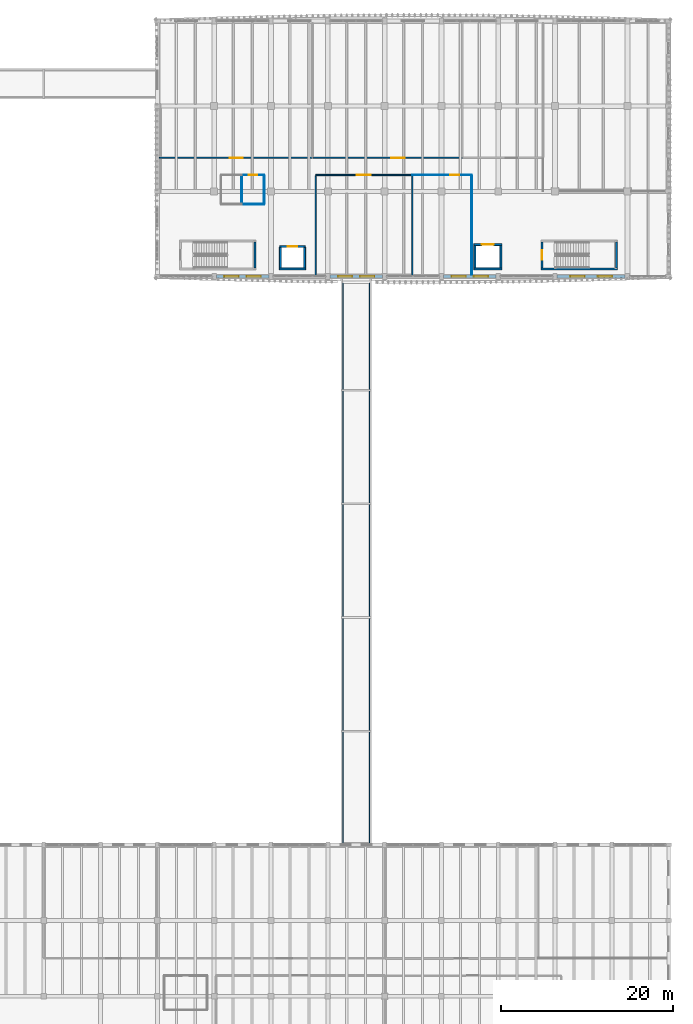
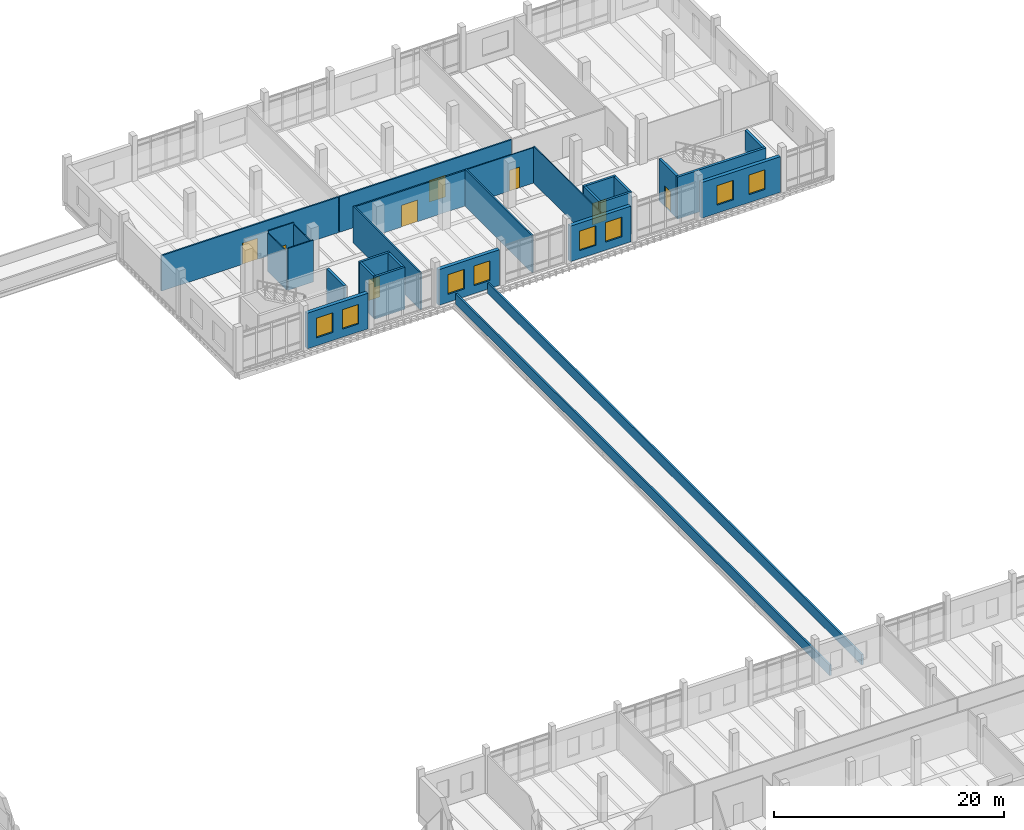
# One storey, part 77 of 101: 29 walls, 8 doors, 8 windows, 16 openings.
"""IFC4 building model written with IfcOpenShell, lengths in metres."""

from ifc_helpers import new_model, si_unit, direction, frame, frame_2d, origin, place, context, subcontext, project, spatial, rectangle, extrude, material, layer, layer_set, type_object, element, fill, save


model = new_model("IFC4")

# Units and contexts
model_context = context("Model", 3, precision=1e-05, world=origin(), true_north=direction((0.0, 1.0)))
body_context = subcontext(model_context, "Body", "Model", "MODEL_VIEW")
ifc_project = project(units=[si_unit("LENGTHUNIT", "METRE"), si_unit("AREAUNIT", "SQUARE_METRE"), si_unit("VOLUMEUNIT", "CUBIC_METRE"), si_unit("PLANEANGLEUNIT", "RADIAN"), si_unit("MASSUNIT", "GRAM", prefix="KILO")], contexts=[model_context])

# Site, building, storey
site_placement = place(None, origin())
site = spatial("IfcSite", under=ifc_project, at=site_placement, CompositionType="ELEMENT")
building_placement = place(site_placement, origin())
building = spatial("IfcBuilding", under=site, at=building_placement, Name="Dornvale Research Institute", CompositionType="ELEMENT")
storey_placement = place(building_placement, frame((0.0, 0.0, 10.199951171875)))
storey = spatial("IfcBuildingStorey", under=building, at=storey_placement, Name="L02", CompositionType="ELEMENT", Elevation=10.199951171875)

# Walls
ifc_material_1 = material(Name="Concrete f'c 40 MPa (C32/40)", Category="concrete")
ifc_layer_1 = layer(ifc_material_1, 0.179931640625)
ifc_layer_set_1 = layer_set([ifc_layer_1], Name="Concrete f'c 40 MPa (C32/40)")
wall_type_1 = type_object("IfcWallType", Name="Parapet_Terrace_180", PredefinedType="PARAPET", material=ifc_layer_set_1)
for number, where, z_axis, x_axis, name in (
    (1, (140.2900390625, 26.6201171875, 0.0), (0.0, 0.0, 1.0), (0.0, 1.0, 0.0), "L02 BRROOF-BR-7 parapet W"),
    (2, (143.510009765625, 26.6201171875, 0.0), (0.0, 0.0, 1.0), (0.0, 1.0, 0.0), "L02 BRROOF-BR-7 parapet E"),
):
    element("IfcWall", number, at=place(storey_placement, frame(where, z_axis=z_axis, x_axis=x_axis)), inside=storey, type_object=wall_type_1, Name=name, PredefinedType="PARAPET", context=body_context, shape_type="SweptSolid", body=[
        extrude(rectangle(XDim=65.019775390625, YDim=0.179931640625, at=frame_2d((32.509765625, 0.0))), origin(), (0.0, 0.0, 1.0), 1.1201171875),
    ])

# Wall, opening, door
ifc_material_2 = material(Name="Acoustic Insulated Double-Stud Laboratory Partition")
ifc_layer_2 = layer(ifc_material_2, 0.14990234375)
ifc_layer_set_2 = layer_set([ifc_layer_2], Name="Acoustic Insulated Double-Stud Laboratory Partition")
wall_type_2 = type_object("IfcWallType", Name="Partition_Lab_150", PredefinedType="PARTITIONING", material=ifc_layer_set_2)
wall_1_placement = place(storey_placement, frame((119.0400390625, 106.199951171875, 0.0), z_axis=(0.0, 0.0, 1.0), x_axis=(1.0, 0.0, 0.0)))
wall_1 = element("IfcWall", 3, at=wall_1_placement, inside=storey, type_object=wall_type_2, Name="L02 V4 interior partition #273", PredefinedType="PARTITIONING", context=body_context, shape_type="SweptSolid", body=[
    extrude(rectangle(XDim=17.780029296875, YDim=0.14990234375, at=frame_2d((8.89013671875, 0.0))), origin(), (0.0, 0.0, 1.0), 3.780029296875),
])
opening_1_placement = place(wall_1_placement, frame((8.159912109375, 0.0, 0.0)))
opening_1 = element("IfcOpeningElement", 4, at=opening_1_placement, cuts=wall_1, Name="Opening ID-06", PredefinedType="OPENING", context=body_context, shape_type="SweptSolid", body=[
    extrude(rectangle(XDim=1.5, YDim=2.25, at=frame_2d((0.75, 1.125))), frame((0.0, 0.08984375, 0.0), z_axis=(0.0, -1.0, 0.0), x_axis=(1.0, 0.0, 0.0)), (0.0, 0.0, 1.0), 0.179931640625),
])
ifc_material_3 = material(Name="Insulated Fire-Rated Hollow Metal Door Assembly")
door_type_1 = type_object("IfcDoorType", Name="Door_WetLab_1500x2250", OperationType="SINGLE_SWING_LEFT", PredefinedType="DOOR", material=ifc_material_3)
door_1_placement = place(opening_1_placement, origin())
door_1 = element("IfcDoor", 5, at=door_1_placement, inside=storey, type_object=door_type_1, Name="L02 Cellular Biology Wet Laboratory door #111", OperationType="SINGLE_SWING_RIGHT", OverallHeight=2.25, OverallWidth=1.5, PredefinedType="DOOR", context=body_context, shape_type="SweptSolid", body=[
    extrude(rectangle(XDim=1.5, YDim=2.25, at=frame_2d((0.75, 1.125))), frame((0.0, 0.02490234375, 0.0), z_axis=(0.0, -1.0, 0.0), x_axis=(1.0, 0.0, 0.0)), (0.0, 0.0, 1.0), 0.050048828125),
])
fill(opening_1, door_1)

wall_2_placement = place(storey_placement, frame((136.909912109375, 106.199951171875, 0.0), z_axis=(0.0, 0.0, 1.0), x_axis=(1.0, 0.0, 0.0)))
wall_2 = element("IfcWall", 6, at=wall_2_placement, inside=storey, type_object=wall_type_2, Name="L02 V4 interior partition #275", PredefinedType="PARTITIONING", context=body_context, shape_type="SweptSolid", body=[
    extrude(rectangle(XDim=17.2900390625, YDim=0.14990234375, at=frame_2d((8.64501953125, 0.0))), origin(), (0.0, 0.0, 1.0), 3.780029296875),
])
opening_2_placement = place(wall_2_placement, frame((9.030029296875, 0.0, 0.0)))
opening_2 = element("IfcOpeningElement", 7, at=opening_2_placement, cuts=wall_2, Name="Opening ID-04", PredefinedType="OPENING", context=body_context, shape_type="SweptSolid", body=[
    extrude(rectangle(XDim=1.6201171875, YDim=2.300048828125, at=frame_2d((0.81005859375, 1.14990234375))), frame((0.0, 0.08984375, 0.0), z_axis=(0.0, -1.0, 0.0), x_axis=(1.0, 0.0, 0.0)), (0.0, 0.0, 1.0), 0.179931640625),
])
ifc_material_4 = material(Name="Insulated Fire-Rated Hollow Metal Door Assembly")
door_type_2 = type_object("IfcDoorType", Name="Door_WetLab_1620x2300", OperationType="SINGLE_SWING_LEFT", PredefinedType="DOOR", material=ifc_material_4)
door_2_placement = place(opening_2_placement, origin())
door_2 = element("IfcDoor", 8, at=door_2_placement, inside=storey, type_object=door_type_2, Name="L02 Confocal Microscopy and Imaging Core door #112", OperationType="SINGLE_SWING_LEFT", OverallHeight=2.300048828125, OverallWidth=1.6201171875, PredefinedType="DOOR", context=body_context, shape_type="SweptSolid", body=[
    extrude(rectangle(XDim=1.6201171875, YDim=2.300048828125, at=frame_2d((0.81005859375, 1.14990234375))), frame((0.0, 0.02490234375, 0.0), z_axis=(0.0, -1.0, 0.0), x_axis=(1.0, 0.0, 0.0)), (0.0, 0.0, 1.0), 0.050048828125),
])
fill(opening_2, door_2)

wall_3_placement = place(storey_placement, frame((137.199951171875, 104.199951171875, 0.0), z_axis=(0.0, 0.0, 1.0), x_axis=(1.0, 0.0, 0.0)))
wall_3 = element("IfcWall", 9, at=wall_3_placement, inside=storey, type_object=wall_type_2, Name="L02 V4 interior partition #282", PredefinedType="PARTITIONING", context=body_context, shape_type="SweptSolid", body=[
    extrude(rectangle(XDim=11.199951171875, YDim=0.14990234375, at=frame_2d((5.60009765625, 0.0))), origin(), (0.0, 0.0, 1.0), 3.780029296875),
])
opening_3_placement = place(wall_3_placement, frame((4.7900390625, 0.0, 0.0)))
opening_3 = element("IfcOpeningElement", 10, at=opening_3_placement, cuts=wall_3, Name="Opening ID-04", PredefinedType="OPENING", context=body_context, shape_type="SweptSolid", body=[
    extrude(rectangle(XDim=1.6201171875, YDim=2.300048828125, at=frame_2d((0.81005859375, 1.14990234375))), frame((0.0, 0.08984375, 0.0), z_axis=(0.0, -1.0, 0.0), x_axis=(1.0, 0.0, 0.0)), (0.0, 0.0, 1.0), 0.179931640625),
])
door_3_placement = place(opening_3_placement, origin())
door_3 = element("IfcDoor", 11, at=door_3_placement, inside=storey, type_object=door_type_2, Name="L02 Laboratory Instrument Support Room L02 door #115", OperationType="SINGLE_SWING_RIGHT", OverallHeight=2.300048828125, OverallWidth=1.6201171875, PredefinedType="DOOR", context=body_context, shape_type="SweptSolid", body=[
    extrude(rectangle(XDim=1.6201171875, YDim=2.300048828125, at=frame_2d((0.81005859375, 1.14990234375))), frame((0.0, 0.02490234375, 0.0), z_axis=(0.0, -1.0, 0.0), x_axis=(1.0, 0.0, 0.0)), (0.0, 0.0, 1.0), 0.050048828125),
])
fill(opening_3, door_3)

# Walls
for number, where, z_axis, x_axis, name in (
    (12, (137.199951171875, 92.43994140625, 0.0), (0.0, 0.0, 1.0), (0.0, 1.0, 0.0), "L02 V4 interior partition #283"),
    (13, (148.39990234375, 92.43994140625, 0.0), (0.0, 0.0, 1.0), (0.0, 1.0, 0.0), "L02 V4 interior partition #284"),
):
    element("IfcWall", number, at=place(storey_placement, frame(where, z_axis=z_axis, x_axis=x_axis)), inside=storey, type_object=wall_type_2, Name=name, PredefinedType="PARTITIONING", context=body_context, shape_type="SweptSolid", body=[
        extrude(rectangle(XDim=11.670166015625, YDim=0.14990234375, at=frame_2d((5.8349609375, 0.0))), origin(), (0.0, 0.0, 1.0), 3.929931640625),
    ])
ifc_material_5 = material(Name="Acoustic Insulated Double-Stud Laboratory Partition")
ifc_layer_3 = layer(ifc_material_5, 0.10009765625)
ifc_layer_set_3 = layer_set([ifc_layer_3], Name="Acoustic Insulated Double-Stud Laboratory Partition")
wall_type_3 = type_object("IfcWallType", Name="Partition_Office_100", PredefinedType="PARTITIONING", material=ifc_layer_set_3)
wall_4_placement = place(storey_placement, frame((128.60009765625, 100.864990234375, 0.0), z_axis=(0.0, 0.0, 1.0), x_axis=(0.0, 1.0, 0.0)))
element("IfcWall", 14, at=wall_4_placement, inside=storey, type_object=wall_type_3, Name="L02 V4 interior partition #269", PredefinedType="PARTITIONING", context=body_context, shape_type="SweptSolid", body=[
    extrude(rectangle(XDim=3.27001953125, YDim=0.10009765625, at=frame_2d((1.635009765625, 0.0))), origin(), (0.0, 0.0, 1.0), 4.06494140625),
])
wall_5_placement = place(storey_placement, frame((128.6650390625, 100.800048828125, 0.0), z_axis=(0.0, 0.0, 1.0), x_axis=(1.0, 0.0, 0.0)))
element("IfcWall", 15, at=wall_5_placement, inside=storey, type_object=wall_type_3, Name="L02 V4 interior partition #270", PredefinedType="PARTITIONING", context=body_context, shape_type="SweptSolid", body=[
    extrude(rectangle(XDim=2.534912109375, YDim=0.10009765625, at=frame_2d((1.267578125, 0.0))), origin(), (0.0, 0.0, 1.0), 4.43994140625),
])

# Wall, opening, door
wall_6_placement = place(storey_placement, frame((128.6650390625, 104.199951171875, 0.0), z_axis=(0.0, 0.0, 1.0), x_axis=(1.0, 0.0, 0.0)))
wall_6 = element("IfcWall", 16, at=wall_6_placement, inside=storey, type_object=wall_type_3, Name="L02 V4 interior partition #271", PredefinedType="PARTITIONING", context=body_context, shape_type="SweptSolid", body=[
    extrude(rectangle(XDim=2.534912109375, YDim=0.10009765625, at=frame_2d((1.267578125, 0.0))), origin(), (0.0, 0.0, 1.0), 4.2451171875),
])
opening_4_placement = place(wall_6_placement, frame((0.735107421875, 0.0, 0.0)))
opening_4 = element("IfcOpeningElement", 17, at=opening_4_placement, cuts=wall_6, Name="Opening ID-24", PredefinedType="OPENING", context=body_context, shape_type="SweptSolid", body=[
    extrude(rectangle(XDim=1.0, YDim=2.14990234375, at=frame_2d((0.5, 1.074951171875))), frame((0.0, 0.06494140625, 0.0), z_axis=(0.0, -1.0, 0.0), x_axis=(1.0, 0.0, 0.0)), (0.0, 0.0, 1.0), 0.130126953125),
])
ifc_material_6 = material(Name="Phenolic-Faced Solid-Core Laboratory Door Assembly")
door_type_3 = type_object("IfcDoorType", Name="Door_AccWC_1000x2150", OperationType="SINGLE_SWING_LEFT", PredefinedType="DOOR", material=ifc_material_6)
door_4_placement = place(opening_4_placement, origin())
door_4 = element("IfcDoor", 18, at=door_4_placement, inside=storey, type_object=door_type_3, Name="L02 Wet Wing Female and Accessible Restroom L02 door #110", OperationType="SINGLE_SWING_LEFT", OverallHeight=2.14990234375, OverallWidth=1.0, PredefinedType="DOOR", context=body_context, shape_type="SweptSolid", body=[
    extrude(rectangle(XDim=1.0, YDim=2.14990234375, at=frame_2d((0.5, 1.074951171875))), frame((0.0, 0.02490234375, 0.0), z_axis=(0.0, -1.0, 0.0), x_axis=(1.0, 0.0, 0.0)), (0.0, 0.0, 1.0), 0.050048828125),
])
fill(opening_4, door_4)

# Wall
wall_7_placement = place(storey_placement, frame((131.199951171875, 100.864990234375, 0.0), z_axis=(0.0, 0.0, 1.0), x_axis=(0.0, 1.0, 0.0)))
element("IfcWall", 19, at=wall_7_placement, inside=storey, type_object=wall_type_3, Name="L02 V4 interior partition #272", PredefinedType="PARTITIONING", context=body_context, shape_type="SweptSolid", body=[
    extrude(rectangle(XDim=3.27001953125, YDim=0.10009765625, at=frame_2d((1.635009765625, 0.0))), origin(), (0.0, 0.0, 1.0), 4.06494140625),
])

# Wall, opening, door
wall_8_placement = place(storey_placement, frame((148.4150390625, 104.199951171875, 0.0), z_axis=(0.0, 0.0, 1.0), x_axis=(1.0, 0.0, 0.0)))
wall_8 = element("IfcWall", 20, at=wall_8_placement, inside=storey, type_object=wall_type_3, Name="L02 V4 interior partition #285", PredefinedType="PARTITIONING", context=body_context, shape_type="SweptSolid", body=[
    extrude(rectangle(XDim=6.885009765625, YDim=0.10009765625, at=frame_2d((3.4423828125, 0.0))), origin(), (0.0, 0.0, 1.0), 3.780029296875),
])
opening_5_placement = place(wall_8_placement, frame((4.425048828125, 0.0, 0.0)))
opening_5 = element("IfcOpeningElement", 21, at=opening_5_placement, cuts=wall_8, Name="Opening ID-20", PredefinedType="OPENING", context=body_context, shape_type="SweptSolid", body=[
    extrude(rectangle(XDim=1.02001953125, YDim=2.199951171875, at=frame_2d((0.510009765625, 1.10009765625))), frame((0.0, 0.06494140625, 0.0), z_axis=(0.0, -1.0, 0.0), x_axis=(1.0, 0.0, 0.0)), (0.0, 0.0, 1.0), 0.130126953125),
])
ifc_material_7 = material(Name="Phenolic-Faced Solid-Core Laboratory Door Assembly")
door_type_4 = type_object("IfcDoorType", Name="Door_WriteUp_1020x2200", OperationType="SINGLE_SWING_LEFT", PredefinedType="DOOR", material=ifc_material_7)
door_5_placement = place(opening_5_placement, origin())
door_5 = element("IfcDoor", 22, at=door_5_placement, inside=storey, type_object=door_type_4, Name="L02 Wet Laboratory Write-Up Bays L02 door #116", OperationType="SINGLE_SWING_LEFT", OverallHeight=2.199951171875, OverallWidth=1.02001953125, PredefinedType="DOOR", context=body_context, shape_type="SweptSolid", body=[
    extrude(rectangle(XDim=1.02001953125, YDim=2.199951171875, at=frame_2d((0.510009765625, 1.10009765625))), frame((0.0, 0.02490234375, 0.0), z_axis=(0.0, -1.0, 0.0), x_axis=(1.0, 0.0, 0.0)), (0.0, 0.0, 1.0), 0.050048828125),
])
fill(opening_5, door_5)

# Walls
wall_9_placement = place(storey_placement, frame((155.300048828125, 92.594970703125, 0.0), z_axis=(0.0, 0.0, 1.0), x_axis=(0.0, 1.0, 0.0)))
element("IfcWall", 23, at=wall_9_placement, inside=storey, type_object=wall_type_3, Name="L02 V4 interior partition #286", PredefinedType="PARTITIONING", context=body_context, shape_type="SweptSolid", body=[
    extrude(rectangle(XDim=11.5400390625, YDim=0.10009765625, at=frame_2d((5.77001953125, 0.0))), origin(), (0.0, 0.0, 1.0), 3.929931640625),
])
ifc_material_8 = material(Name="Concrete f'c 45 MPa (C35/45)", Category="concrete")
ifc_layer_4 = layer(ifc_material_8, 0.25)
ifc_layer_set_4 = layer_set([ifc_layer_4], Name="Concrete f'c 45 MPa (C35/45)")
wall_type_4 = type_object("IfcWallType", Name="ShearWall_Core_250", PredefinedType="SHEAR", material=ifc_layer_set_4)
wall_10_placement = place(storey_placement, frame((130.125, 93.39990234375, 0.0), z_axis=(0.0, 0.0, 1.0), x_axis=(0.0, 1.0, 0.0)))
element("IfcWall", 24, at=wall_10_placement, inside=storey, type_object=wall_type_4, Name="L02 ST-3 shaft shear wall east", PredefinedType="SHEAR", context=body_context, shape_type="SweptSolid", body=[
    extrude(rectangle(XDim=3.0, YDim=0.25, at=frame_2d((1.5, 0.0))), origin(), (0.0, 0.0, 1.0), 4.4599609375),
])
wall_11_placement = place(storey_placement, frame((163.35009765625, 93.27490234375, 0.0), z_axis=(0.0, 0.0, 1.0), x_axis=(1.0, 0.0, 0.0)))
element("IfcWall", 25, at=wall_11_placement, inside=storey, type_object=wall_type_4, Name="L02 ST-4 shaft shear wall south", PredefinedType="SHEAR", context=body_context, shape_type="SweptSolid", body=[
    extrude(rectangle(XDim=8.89990234375, YDim=0.25, at=frame_2d((4.449951171875, 0.0))), origin(), (0.0, 0.0, 1.0), 4.4599609375),
])

# Wall, opening, door
wall_12_placement = place(storey_placement, frame((163.47509765625, 93.39990234375, 0.0), z_axis=(0.0, 0.0, 1.0), x_axis=(0.0, 1.0, 0.0)))
wall_12 = element("IfcWall", 26, at=wall_12_placement, inside=storey, type_object=wall_type_4, Name="L02 ST-4 shaft shear wall west", PredefinedType="SHEAR", context=body_context, shape_type="SweptSolid", body=[
    extrude(rectangle(XDim=3.0, YDim=0.25, at=frame_2d((1.5, 0.0))), origin(), (0.0, 0.0, 1.0), 4.4599609375),
])
opening_6_placement = place(wall_12_placement, frame((0.9599609375, 0.0, 0.0)))
opening_6 = element("IfcOpeningElement", 27, at=opening_6_placement, cuts=wall_12, Name="Opening SD-02", PredefinedType="OPENING", context=body_context, shape_type="SweptSolid", body=[
    extrude(rectangle(XDim=1.080078125, YDim=2.199951171875, at=frame_2d((0.5400390625, 1.10009765625))), frame((0.0, 0.139892578125, 0.0), z_axis=(0.0, -1.0, 0.0), x_axis=(1.0, 0.0, 0.0)), (0.0, 0.0, 1.0), 0.280029296875),
])
ifc_material_9 = material(Name="Insulated Fire-Rated Hollow Metal Door Assembly")
door_type_5 = type_object("IfcDoorType", Name="Door_Stair_1080x2200", OperationType="SINGLE_SWING_LEFT", PredefinedType="DOOR", material=ifc_material_9)
door_6_placement = place(opening_6_placement, origin())
door_6 = element("IfcDoor", 28, at=door_6_placement, inside=storey, type_object=door_type_5, Name="L02 ST-4 exit stair door #36", OperationType="SINGLE_SWING_LEFT", OverallHeight=2.199951171875, OverallWidth=1.080078125, PredefinedType="DOOR", context=body_context, shape_type="SweptSolid", body=[
    extrude(rectangle(XDim=1.080078125, YDim=2.199951171875, at=frame_2d((0.5400390625, 1.10009765625))), frame((0.0, 0.02490234375, 0.0), z_axis=(0.0, -1.0, 0.0), x_axis=(1.0, 0.0, 0.0)), (0.0, 0.0, 1.0), 0.050048828125),
])
fill(opening_6, door_6)

# Walls
wall_13_placement = place(storey_placement, frame((172.125, 93.39990234375, 0.0), z_axis=(0.0, 0.0, 1.0), x_axis=(0.0, 1.0, 0.0)))
element("IfcWall", 29, at=wall_13_placement, inside=storey, type_object=wall_type_4, Name="L02 ST-4 shaft shear wall east", PredefinedType="SHEAR", context=body_context, shape_type="SweptSolid", body=[
    extrude(rectangle(XDim=3.0, YDim=0.25, at=frame_2d((1.5, 0.0))), origin(), (0.0, 0.0, 1.0), 4.4599609375),
])
ifc_material_10 = material(Name="Concrete f'c 45 MPa (C35/45)", Category="concrete")
ifc_layer_5 = layer(ifc_material_10, 0.219970703125)
ifc_layer_set_5 = layer_set([ifc_layer_5], Name="Concrete f'c 45 MPa (C35/45)")
wall_type_5 = type_object("IfcWallType", Name="ShearWall_Shaft_220", PredefinedType="SHEAR", material=ifc_layer_set_5)
wall_14_placement = place(storey_placement, frame((132.97998046875, 93.2900390625, 0.0), z_axis=(0.0, 0.0, 1.0), x_axis=(1.0, 0.0, 0.0)))
element("IfcWall", 30, at=wall_14_placement, inside=storey, type_object=wall_type_5, Name="L02 LP2 elevator shaft wall south", PredefinedType="SHEAR", context=body_context, shape_type="SweptSolid", body=[
    extrude(rectangle(XDim=3.0400390625, YDim=0.219970703125, at=frame_2d((1.52001953125, 0.0))), origin(), (0.0, 0.0, 1.0), 4.4599609375),
])

# Wall, opening, door
wall_15_placement = place(storey_placement, frame((132.97998046875, 95.909912109375, 0.0), z_axis=(0.0, 0.0, 1.0), x_axis=(1.0, 0.0, 0.0)))
wall_15 = element("IfcWall", 31, at=wall_15_placement, inside=storey, type_object=wall_type_5, Name="L02 LP2 elevator shaft wall north", PredefinedType="SHEAR", context=body_context, shape_type="SweptSolid", body=[
    extrude(rectangle(XDim=3.0400390625, YDim=0.219970703125, at=frame_2d((1.52001953125, 0.0))), origin(), (0.0, 0.0, 1.0), 4.4599609375),
])
opening_7_placement = place(wall_15_placement, frame((0.969970703125, 0.0, 0.0)))
opening_7 = element("IfcOpeningElement", 32, at=opening_7_placement, cuts=wall_15, Name="Opening LD-02", PredefinedType="OPENING", context=body_context, shape_type="SweptSolid", body=[
    extrude(rectangle(XDim=1.10009765625, YDim=2.199951171875, at=frame_2d((0.550048828125, 1.10009765625))), frame((0.0, 0.125, 0.0), z_axis=(0.0, -1.0, 0.0), x_axis=(1.0, 0.0, 0.0)), (0.0, 0.0, 1.0), 0.25),
])
ifc_material_11 = material(Name="Brushed Stainless Steel Sliding Elevator Landing Door", Category="steel")
door_type_6 = type_object("IfcDoorType", Name="Door_LiftLanding_Pass_1100x2200", OperationType="SINGLE_SWING_LEFT", PredefinedType="DOOR", material=ifc_material_11)
door_7_placement = place(opening_7_placement, origin())
door_7 = element("IfcDoor", 33, at=door_7_placement, inside=storey, type_object=door_type_6, Name="L02 LP2 sliding elevator landing door #40", OperationType="SLIDING_TO_LEFT", OverallHeight=2.199951171875, OverallWidth=1.10009765625, PredefinedType="DOOR", context=body_context, shape_type="SweptSolid", body=[
    extrude(rectangle(XDim=1.10009765625, YDim=2.199951171875, at=frame_2d((0.550048828125, 1.10009765625))), frame((0.0, 0.02490234375, 0.0), z_axis=(0.0, -1.0, 0.0), x_axis=(1.0, 0.0, 0.0)), (0.0, 0.0, 1.0), 0.050048828125),
])
fill(opening_7, door_7)

# Walls
for number, where, z_axis, x_axis, name in (
    (34, (133.090087890625, 93.39990234375, 0.0), (0.0, 0.0, 1.0), (0.0, 1.0, 0.0), "L02 LP2 elevator shaft wall west"),
    (35, (135.909912109375, 93.39990234375, 0.0), (0.0, 0.0, 1.0), (0.0, 1.0, 0.0), "L02 LP2 elevator shaft wall east"),
):
    element("IfcWall", number, at=place(storey_placement, frame(where, z_axis=z_axis, x_axis=x_axis)), inside=storey, type_object=wall_type_5, Name=name, PredefinedType="SHEAR", context=body_context, shape_type="SweptSolid", body=[
        extrude(rectangle(XDim=2.400146484375, YDim=0.219970703125, at=frame_2d((1.2001953125, 0.0))), origin(), (0.0, 0.0, 1.0), 4.4599609375),
    ])
wall_16_placement = place(storey_placement, frame((155.580078125, 93.2900390625, 0.0), z_axis=(0.0, 0.0, 1.0), x_axis=(1.0, 0.0, 0.0)))
element("IfcWall", 36, at=wall_16_placement, inside=storey, type_object=wall_type_5, Name="L02 LS1 elevator shaft wall south", PredefinedType="SHEAR", context=body_context, shape_type="SweptSolid", body=[
    extrude(rectangle(XDim=3.239990234375, YDim=0.219970703125, at=frame_2d((1.6201171875, 0.0))), origin(), (0.0, 0.0, 1.0), 4.4599609375),
])

# Wall, opening, door
wall_17_placement = place(storey_placement, frame((155.580078125, 96.110107421875, 0.0), z_axis=(0.0, 0.0, 1.0), x_axis=(1.0, 0.0, 0.0)))
wall_17 = element("IfcWall", 37, at=wall_17_placement, inside=storey, type_object=wall_type_5, Name="L02 LS1 elevator shaft wall north", PredefinedType="SHEAR", context=body_context, shape_type="SweptSolid", body=[
    extrude(rectangle(XDim=3.239990234375, YDim=0.219970703125, at=frame_2d((1.6201171875, 0.0))), origin(), (0.0, 0.0, 1.0), 4.4599609375),
])
opening_8_placement = place(wall_17_placement, frame((0.919921875, 0.0, 0.0)))
opening_8 = element("IfcOpeningElement", 38, at=opening_8_placement, cuts=wall_17, Name="Opening LD-03", PredefinedType="OPENING", context=body_context, shape_type="SweptSolid", body=[
    extrude(rectangle(XDim=1.39990234375, YDim=2.300048828125, at=frame_2d((0.699951171875, 1.14990234375))), frame((0.0, 0.125, 0.0), z_axis=(0.0, -1.0, 0.0), x_axis=(1.0, 0.0, 0.0)), (0.0, 0.0, 1.0), 0.25),
])
ifc_material_12 = material(Name="Brushed Stainless Steel Sliding Elevator Landing Door", Category="steel")
door_type_7 = type_object("IfcDoorType", Name="Door_LiftLanding_Serv_1400x2300", OperationType="SINGLE_SWING_LEFT", PredefinedType="DOOR", material=ifc_material_12)
door_8_placement = place(opening_8_placement, origin())
door_8 = element("IfcDoor", 39, at=door_8_placement, inside=storey, type_object=door_type_7, Name="L02 LS1 sliding elevator landing door #48", OperationType="DOUBLE_DOOR_SLIDING", OverallHeight=2.300048828125, OverallWidth=1.39990234375, PredefinedType="DOOR", context=body_context, shape_type="SweptSolid", body=[
    extrude(rectangle(XDim=1.39990234375, YDim=2.300048828125, at=frame_2d((0.699951171875, 1.14990234375))), frame((0.0, 0.02490234375, 0.0), z_axis=(0.0, -1.0, 0.0), x_axis=(1.0, 0.0, 0.0)), (0.0, 0.0, 1.0), 0.050048828125),
])
fill(opening_8, door_8)

# Walls
for number, where, z_axis, x_axis, name in (
    (40, (155.68994140625, 93.39990234375, 0.0), (0.0, 0.0, 1.0), (0.0, 1.0, 0.0), "L02 LS1 elevator shaft wall west"),
    (41, (158.7099609375, 93.39990234375, 0.0), (0.0, 0.0, 1.0), (0.0, 1.0, 0.0), "L02 LS1 elevator shaft wall east"),
):
    element("IfcWall", number, at=place(storey_placement, frame(where, z_axis=z_axis, x_axis=x_axis)), inside=storey, type_object=wall_type_5, Name=name, PredefinedType="SHEAR", context=body_context, shape_type="SweptSolid", body=[
        extrude(rectangle(XDim=2.60009765625, YDim=0.219970703125, at=frame_2d((1.300048828125, 0.0))), origin(), (0.0, 0.0, 1.0), 4.4599609375),
    ])

# Wall, openings, windows
ifc_material_13 = material(Name="Catalan Pressed Brick and Insulated Cavity Assembly", Category="masonry")
ifc_layer_6 = layer(ifc_material_13, 0.360107421875)
ifc_layer_set_6 = layer_set([ifc_layer_6], Name="Catalan Pressed Brick and Insulated Cavity Assembly")
wall_type_6 = type_object("IfcWallType", Name="StandardWall_BrickCavity_360", PredefinedType="STANDARD", material=ifc_layer_set_6)
wall_18_placement = place(storey_placement, frame((173.14990234375, 92.39990234375, 0.0), z_axis=(0.0, 0.0, 1.0), x_axis=(-1.0, 0.0, 0.0)))
wall_18 = element("IfcWall", 42, at=wall_18_placement, inside=storey, type_object=wall_type_6, Name="L02 V4 south exterior wall #227", PredefinedType="STANDARD", context=body_context, shape_type="SweptSolid", body=[
    extrude(rectangle(XDim=7.89990234375, YDim=0.360107421875, at=frame_2d((3.949951171875, 0.0))), origin(), (0.0, 0.0, 1.0), 3.780029296875),
])
opening_9_placement = place(wall_18_placement, frame((1.533203125, 0.0, 0.85009765625)))
opening_9 = element("IfcOpeningElement", 43, at=opening_9_placement, cuts=wall_18, Name="Opening W-40", PredefinedType="OPENING", context=body_context, shape_type="SweptSolid", body=[
    extrude(rectangle(XDim=1.64990234375, YDim=2.080078125, at=frame_2d((0.824951171875, 1.0400390625))), frame((0.0, 0.195068359375, 0.0), z_axis=(0.0, -1.0, 0.0), x_axis=(1.0, 0.0, 0.0)), (0.0, 0.0, 1.0), 0.39013671875),
])
opening_10_placement = place(wall_18_placement, frame((4.716552734375, 0.0, 0.85009765625)))
opening_10 = element("IfcOpeningElement", 44, at=opening_10_placement, cuts=wall_18, Name="Opening W-40", PredefinedType="OPENING", context=body_context, shape_type="SweptSolid", body=[
    extrude(rectangle(XDim=1.64990234375, YDim=2.080078125, at=frame_2d((0.824951171875, 1.0400390625))), frame((0.0, 0.195068359375, 0.0), z_axis=(0.0, -1.0, 0.0), x_axis=(1.0, 0.0, 0.0)), (0.0, 0.0, 1.0), 0.39013671875),
])
ifc_material_14 = material(Name="Low-E Argon Double Insulating Glazing Unit", Category="glass")
window_type = type_object("IfcWindowType", Name="Window_Alu_1650x2080_40", PartitioningType="SINGLE_PANEL", PredefinedType="WINDOW", material=ifc_material_14)
window_1_placement = place(opening_9_placement, origin())
window_1 = element("IfcWindow", 45, at=window_1_placement, inside=storey, type_object=window_type, Name="L02 V4 facade window W-40 #303", OverallHeight=2.080078125, OverallWidth=1.64990234375, PartitioningType="SINGLE_PANEL", PredefinedType="WINDOW", context=body_context, shape_type="SweptSolid", body=[
    extrude(rectangle(XDim=1.64990234375, YDim=2.080078125, at=frame_2d((0.824951171875, 1.0400390625))), frame((0.0, 0.030029296875, 0.0), z_axis=(0.0, -1.0, 0.0), x_axis=(1.0, 0.0, 0.0)), (0.0, 0.0, 1.0), 0.06005859375),
])
fill(opening_9, window_1)
window_2_placement = place(opening_10_placement, origin())
window_2 = element("IfcWindow", 46, at=window_2_placement, inside=storey, type_object=window_type, Name="L02 V4 facade window W-40 #304", OverallHeight=2.080078125, OverallWidth=1.64990234375, PartitioningType="SINGLE_PANEL", PredefinedType="WINDOW", context=body_context, shape_type="SweptSolid", body=[
    extrude(rectangle(XDim=1.64990234375, YDim=2.080078125, at=frame_2d((0.824951171875, 1.0400390625))), frame((0.0, 0.030029296875, 0.0), z_axis=(0.0, -1.0, 0.0), x_axis=(1.0, 0.0, 0.0)), (0.0, 0.0, 1.0), 0.06005859375),
])
fill(opening_10, window_2)

wall_19_placement = place(storey_placement, frame((158.14990234375, 92.39990234375, 0.0), z_axis=(0.0, 0.0, 1.0), x_axis=(-1.0, 0.0, 0.0)))
wall_19 = element("IfcWall", 47, at=wall_19_placement, inside=storey, type_object=wall_type_6, Name="L02 V4 south exterior wall #228", PredefinedType="STANDARD", context=body_context, shape_type="SweptSolid", body=[
    extrude(rectangle(XDim=6.099853515625, YDim=0.360107421875, at=frame_2d((3.0498046875, 0.0))), origin(), (0.0, 0.0, 1.0), 3.780029296875),
])
opening_11_placement = place(wall_19_placement, frame((0.933349609375, 0.0, 0.85009765625)))
opening_11 = element("IfcOpeningElement", 48, at=opening_11_placement, cuts=wall_19, Name="Opening W-40", PredefinedType="OPENING", context=body_context, shape_type="SweptSolid", body=[
    extrude(rectangle(XDim=1.64990234375, YDim=2.080078125, at=frame_2d((0.824951171875, 1.0400390625))), frame((0.0, 0.195068359375, 0.0), z_axis=(0.0, -1.0, 0.0), x_axis=(1.0, 0.0, 0.0)), (0.0, 0.0, 1.0), 0.39013671875),
])
opening_12_placement = place(wall_19_placement, frame((3.5166015625, 0.0, 0.85009765625)))
opening_12 = element("IfcOpeningElement", 49, at=opening_12_placement, cuts=wall_19, Name="Opening W-40", PredefinedType="OPENING", context=body_context, shape_type="SweptSolid", body=[
    extrude(rectangle(XDim=1.64990234375, YDim=2.080078125, at=frame_2d((0.824951171875, 1.0400390625))), frame((0.0, 0.195068359375, 0.0), z_axis=(0.0, -1.0, 0.0), x_axis=(1.0, 0.0, 0.0)), (0.0, 0.0, 1.0), 0.39013671875),
])
window_3_placement = place(opening_11_placement, origin())
window_3 = element("IfcWindow", 50, at=window_3_placement, inside=storey, type_object=window_type, Name="L02 V4 facade window W-40 #305", OverallHeight=2.080078125, OverallWidth=1.64990234375, PartitioningType="SINGLE_PANEL", PredefinedType="WINDOW", context=body_context, shape_type="SweptSolid", body=[
    extrude(rectangle(XDim=1.64990234375, YDim=2.080078125, at=frame_2d((0.824951171875, 1.0400390625))), frame((0.0, 0.030029296875, 0.0), z_axis=(0.0, -1.0, 0.0), x_axis=(1.0, 0.0, 0.0)), (0.0, 0.0, 1.0), 0.06005859375),
])
fill(opening_11, window_3)
window_4_placement = place(opening_12_placement, origin())
window_4 = element("IfcWindow", 51, at=window_4_placement, inside=storey, type_object=window_type, Name="L02 V4 facade window W-40 #306", OverallHeight=2.080078125, OverallWidth=1.64990234375, PartitioningType="SINGLE_PANEL", PredefinedType="WINDOW", context=body_context, shape_type="SweptSolid", body=[
    extrude(rectangle(XDim=1.64990234375, YDim=2.080078125, at=frame_2d((0.824951171875, 1.0400390625))), frame((0.0, 0.030029296875, 0.0), z_axis=(0.0, -1.0, 0.0), x_axis=(1.0, 0.0, 0.0)), (0.0, 0.0, 1.0), 0.06005859375),
])
fill(opening_12, window_4)

wall_20_placement = place(storey_placement, frame((144.949951171875, 92.39990234375, 0.0), z_axis=(0.0, 0.0, 1.0), x_axis=(-1.0, 0.0, 0.0)))
wall_20 = element("IfcWall", 52, at=wall_20_placement, inside=storey, type_object=wall_type_6, Name="L02 V4 south exterior wall #229", PredefinedType="STANDARD", context=body_context, shape_type="SweptSolid", body=[
    extrude(rectangle(XDim=6.099853515625, YDim=0.360107421875, at=frame_2d((3.0498046875, 0.0))), origin(), (0.0, 0.0, 1.0), 3.780029296875),
])
opening_13_placement = place(wall_20_placement, frame((0.933349609375, 0.0, 0.85009765625)))
opening_13 = element("IfcOpeningElement", 53, at=opening_13_placement, cuts=wall_20, Name="Opening W-40", PredefinedType="OPENING", context=body_context, shape_type="SweptSolid", body=[
    extrude(rectangle(XDim=1.64990234375, YDim=2.080078125, at=frame_2d((0.824951171875, 1.0400390625))), frame((0.0, 0.195068359375, 0.0), z_axis=(0.0, -1.0, 0.0), x_axis=(1.0, 0.0, 0.0)), (0.0, 0.0, 1.0), 0.39013671875),
])
opening_14_placement = place(wall_20_placement, frame((3.5166015625, 0.0, 0.85009765625)))
opening_14 = element("IfcOpeningElement", 54, at=opening_14_placement, cuts=wall_20, Name="Opening W-40", PredefinedType="OPENING", context=body_context, shape_type="SweptSolid", body=[
    extrude(rectangle(XDim=1.64990234375, YDim=2.080078125, at=frame_2d((0.824951171875, 1.0400390625))), frame((0.0, 0.195068359375, 0.0), z_axis=(0.0, -1.0, 0.0), x_axis=(1.0, 0.0, 0.0)), (0.0, 0.0, 1.0), 0.39013671875),
])
window_5_placement = place(opening_13_placement, origin())
window_5 = element("IfcWindow", 55, at=window_5_placement, inside=storey, type_object=window_type, Name="L02 V4 facade window W-40 #307", OverallHeight=2.080078125, OverallWidth=1.64990234375, PartitioningType="SINGLE_PANEL", PredefinedType="WINDOW", context=body_context, shape_type="SweptSolid", body=[
    extrude(rectangle(XDim=1.64990234375, YDim=2.080078125, at=frame_2d((0.824951171875, 1.0400390625))), frame((0.0, 0.030029296875, 0.0), z_axis=(0.0, -1.0, 0.0), x_axis=(1.0, 0.0, 0.0)), (0.0, 0.0, 1.0), 0.06005859375),
])
fill(opening_13, window_5)
window_6_placement = place(opening_14_placement, origin())
window_6 = element("IfcWindow", 56, at=window_6_placement, inside=storey, type_object=window_type, Name="L02 V4 facade window W-40 #308", OverallHeight=2.080078125, OverallWidth=1.64990234375, PartitioningType="SINGLE_PANEL", PredefinedType="WINDOW", context=body_context, shape_type="SweptSolid", body=[
    extrude(rectangle(XDim=1.64990234375, YDim=2.080078125, at=frame_2d((0.824951171875, 1.0400390625))), frame((0.0, 0.030029296875, 0.0), z_axis=(0.0, -1.0, 0.0), x_axis=(1.0, 0.0, 0.0)), (0.0, 0.0, 1.0), 0.06005859375),
])
fill(opening_14, window_6)

wall_21_placement = place(storey_placement, frame((131.75, 92.39990234375, 0.0), z_axis=(0.0, 0.0, 1.0), x_axis=(-1.0, 0.0, 0.0)))
wall_21 = element("IfcWall", 57, at=wall_21_placement, inside=storey, type_object=wall_type_6, Name="L02 V4 south exterior wall #230", PredefinedType="STANDARD", context=body_context, shape_type="SweptSolid", body=[
    extrude(rectangle(XDim=6.10009765625, YDim=0.360107421875, at=frame_2d((3.050048828125, 0.0))), origin(), (0.0, 0.0, 1.0), 3.780029296875),
])
opening_15_placement = place(wall_21_placement, frame((0.933349609375, 0.0, 0.85009765625)))
opening_15 = element("IfcOpeningElement", 58, at=opening_15_placement, cuts=wall_21, Name="Opening W-40", PredefinedType="OPENING", context=body_context, shape_type="SweptSolid", body=[
    extrude(rectangle(XDim=1.64990234375, YDim=2.080078125, at=frame_2d((0.824951171875, 1.0400390625))), frame((0.0, 0.195068359375, 0.0), z_axis=(0.0, -1.0, 0.0), x_axis=(1.0, 0.0, 0.0)), (0.0, 0.0, 1.0), 0.39013671875),
])
opening_16_placement = place(wall_21_placement, frame((3.5166015625, 0.0, 0.85009765625)))
opening_16 = element("IfcOpeningElement", 59, at=opening_16_placement, cuts=wall_21, Name="Opening W-40", PredefinedType="OPENING", context=body_context, shape_type="SweptSolid", body=[
    extrude(rectangle(XDim=1.64990234375, YDim=2.080078125, at=frame_2d((0.824951171875, 1.0400390625))), frame((0.0, 0.195068359375, 0.0), z_axis=(0.0, -1.0, 0.0), x_axis=(1.0, 0.0, 0.0)), (0.0, 0.0, 1.0), 0.39013671875),
])
window_7_placement = place(opening_15_placement, origin())
window_7 = element("IfcWindow", 60, at=window_7_placement, inside=storey, type_object=window_type, Name="L02 V4 facade window W-40 #309", OverallHeight=2.080078125, OverallWidth=1.64990234375, PartitioningType="SINGLE_PANEL", PredefinedType="WINDOW", context=body_context, shape_type="SweptSolid", body=[
    extrude(rectangle(XDim=1.64990234375, YDim=2.080078125, at=frame_2d((0.824951171875, 1.0400390625))), frame((0.0, 0.030029296875, 0.0), z_axis=(0.0, -1.0, 0.0), x_axis=(1.0, 0.0, 0.0)), (0.0, 0.0, 1.0), 0.06005859375),
])
fill(opening_15, window_7)
window_8_placement = place(opening_16_placement, origin())
window_8 = element("IfcWindow", 61, at=window_8_placement, inside=storey, type_object=window_type, Name="L02 V4 facade window W-40 #310", OverallHeight=2.080078125, OverallWidth=1.64990234375, PartitioningType="SINGLE_PANEL", PredefinedType="WINDOW", context=body_context, shape_type="SweptSolid", body=[
    extrude(rectangle(XDim=1.64990234375, YDim=2.080078125, at=frame_2d((0.824951171875, 1.0400390625))), frame((0.0, 0.030029296875, 0.0), z_axis=(0.0, -1.0, 0.0), x_axis=(1.0, 0.0, 0.0)), (0.0, 0.0, 1.0), 0.06005859375),
])
fill(opening_16, window_8)

save(model, "model.ifc")
